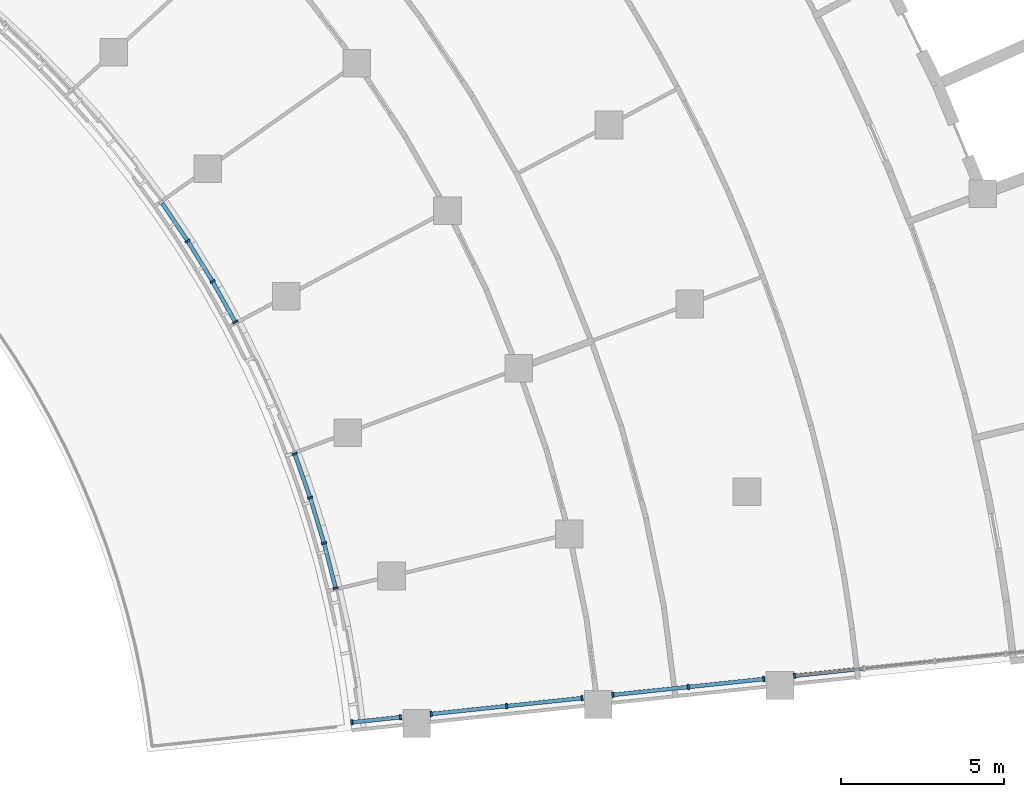
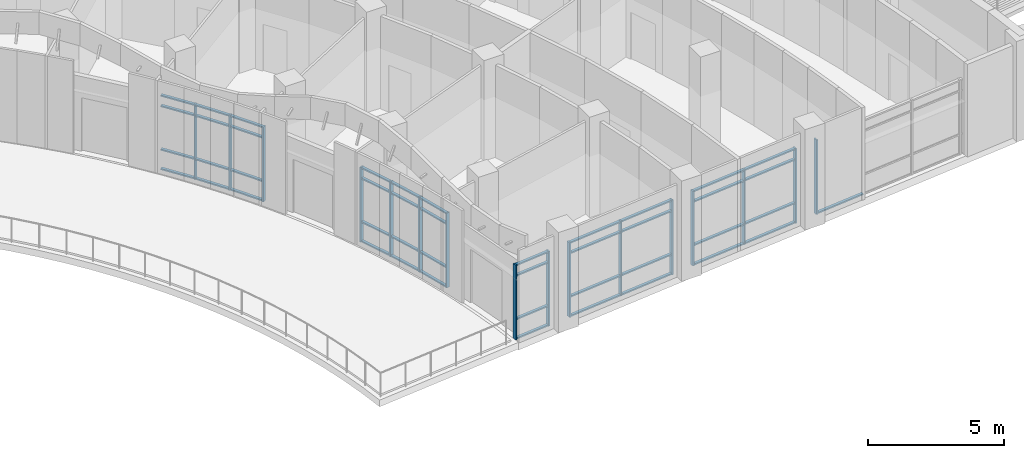
# One storey, part 28 of 136: 61 members, 6 elements without a shape of their own.
"""IFC4 building model written with IfcOpenShell, lengths in metres."""

from ifc_helpers import new_model, si_unit, direction, frame, origin, origin_2d, place, context, subcontext, project, spatial, rectangle, extrude, material, material_profile, profile_set, type_object, element, aggregate, save


model = new_model("IFC4")

# Units and contexts
model_context = context("Model", 3, precision=1e-05, world=origin(), true_north=direction((0.0, 1.0)))
body_context = subcontext(model_context, "Body", "Model", "MODEL_VIEW")
ifc_project = project(units=[si_unit("LENGTHUNIT", "METRE"), si_unit("AREAUNIT", "SQUARE_METRE"), si_unit("VOLUMEUNIT", "CUBIC_METRE"), si_unit("PLANEANGLEUNIT", "RADIAN"), si_unit("MASSUNIT", "GRAM", prefix="KILO")], contexts=[model_context])

# Site, building, storey
site_placement = place(None, origin())
site = spatial("IfcSite", under=ifc_project, at=site_placement, CompositionType="ELEMENT")
building_placement = place(site_placement, origin())
building = spatial("IfcBuilding", under=site, at=building_placement, Name="Bougainvillea Quay General Hospital", CompositionType="ELEMENT")
storey_placement = place(building_placement, frame((0.0, 0.0, 5.39990234375)))
storey = spatial("IfcBuildingStorey", under=building, at=storey_placement, Name="L01", CompositionType="ELEMENT", Elevation=5.39990234375)

# Curtain wall, members
ifc_material_1 = material(Name="Aluminium curtain wall system, powder-coated glazed", Category="aluminium")
curtain_wall_type_1 = type_object("IfcCurtainWallType", Name="Unitised curtain wall CW-2100", PredefinedType="NOTDEFINED", material=ifc_material_1)
curtain_wall_1_placement = place(storey_placement, origin())
curtain_wall_1 = element("IfcCurtainWall", 1, at=curtain_wall_1_placement, inside=storey, type_object=curtain_wall_type_1, Name="CW-E05 a21b4", PredefinedType="NOTDEFINED")
ifc_material_2 = material(Name="Aluminium mullion, powder-coated charcoal", Category="aluminium")
ifc_material_profile_1 = material_profile(ifc_material_2, rectangle(XDim=0.159912109375, YDim=0.06005859375, at=origin_2d()))
ifc_profile_set_1 = profile_set([ifc_material_profile_1], Name="Aluminium mullion, powder-coated charcoal")
member_type_1 = type_object("IfcMemberType", Name="Curtain wall mullion 160x60", PredefinedType="MULLION", material=ifc_profile_set_1)
member_1_placement = place(storey_placement, frame((137.984619140625, 40.560791015625, 0.0), z_axis=(0.0, 0.0, 1.0), x_axis=(0.840427908607, 0.541923362141, 0.0)))
member_1 = element("IfcMember", 2, at=member_1_placement, type_object=member_type_1, Name="CW-E05 mullion 2", PredefinedType="MULLION", context=body_context, shape_type="SweptSolid", body=[
    extrude(rectangle(XDim=0.159912109375, YDim=0.06005859375, at=origin_2d()), origin(), (0.0, 0.0, 1.0), 3.35009765625),
])
member_2_placement = place(storey_placement, frame((138.747802734375, 39.31982421875, 0.0), z_axis=(0.0, 0.0, 1.0), x_axis=(0.862713792698, 0.50569250725, 0.0)))
member_2 = element("IfcMember", 3, at=member_2_placement, type_object=member_type_1, Name="CW-E05 mullion 3", PredefinedType="MULLION", context=body_context, shape_type="SweptSolid", body=[
    extrude(rectangle(XDim=0.159912109375, YDim=0.06005859375, at=origin_2d()), origin(), (0.0, 0.0, 1.0), 3.35009765625),
])
member_3_placement = place(storey_placement, frame((139.443115234375, 38.073974609375, 0.0), z_axis=(0.0, 0.0, 1.0), x_axis=(0.873273793396, 0.487229803858, 0.0)))
member_3 = element("IfcMember", 4, at=member_3_placement, type_object=member_type_1, Name="CW-E05 mullion 4", PredefinedType="MULLION", context=body_context, shape_type="SweptSolid", body=[
    extrude(rectangle(XDim=0.159912109375, YDim=0.06005859375, at=origin_2d()), origin(), (0.0, 0.0, 1.0), 3.35009765625),
])

curtain_wall_2_placement = place(storey_placement, origin())
curtain_wall_2 = element("IfcCurtainWall", 5, at=curtain_wall_2_placement, inside=storey, type_object=curtain_wall_type_1, Name="CW-E07 a21b6", PredefinedType="NOTDEFINED")
member_4_placement = place(storey_placement, frame((141.26416015625, 34.037841796875, 0.0), z_axis=(0.0, 0.0, 1.0), x_axis=(0.943168537252, 0.332314775986, 0.0)))
member_4 = element("IfcMember", 6, at=member_4_placement, type_object=member_type_1, Name="CW-E07 mullion 1", PredefinedType="MULLION", context=body_context, shape_type="SweptSolid", body=[
    extrude(rectangle(XDim=0.159912109375, YDim=0.06005859375, at=origin_2d()), origin(), (0.0, 0.0, 1.0), 3.35009765625),
])
member_5_placement = place(storey_placement, frame((141.73828125, 32.692138671875, 0.0), z_axis=(0.0, 0.0, 1.0), x_axis=(0.950022917464, 0.3121801664, 0.0)))
member_5 = element("IfcMember", 7, at=member_5_placement, type_object=member_type_1, Name="CW-E07 mullion 2", PredefinedType="MULLION", context=body_context, shape_type="SweptSolid", body=[
    extrude(rectangle(XDim=0.159912109375, YDim=0.06005859375, at=origin_2d()), origin(), (0.0, 0.0, 1.0), 3.35009765625),
])
member_6_placement = place(storey_placement, frame((142.16357421875, 31.298828125, 0.0), z_axis=(0.0, 0.0, 1.0), x_axis=(0.962439443061, 0.271496442776, 0.0)))
member_6 = element("IfcMember", 8, at=member_6_placement, type_object=member_type_1, Name="CW-E07 mullion 3", PredefinedType="MULLION", context=body_context, shape_type="SweptSolid", body=[
    extrude(rectangle(XDim=0.159912109375, YDim=0.06005859375, at=origin_2d()), origin(), (0.0, 0.0, 1.0), 3.35009765625),
])
member_7_placement = place(storey_placement, frame((142.521484375, 29.91748046875, 0.0), z_axis=(0.0, 0.0, 1.0), x_axis=(0.967995971386, 0.250965733479, 0.0)))
member_7 = element("IfcMember", 9, at=member_7_placement, type_object=member_type_1, Name="CW-E07 mullion 4", PredefinedType="MULLION", context=body_context, shape_type="SweptSolid", body=[
    extrude(rectangle(XDim=0.159912109375, YDim=0.06005859375, at=origin_2d()), origin(), (0.0, 0.0, 1.0), 3.35009765625),
])

curtain_wall_type_2 = type_object("IfcCurtainWallType", Name="Unitised curtain wall CW-1556", PredefinedType="NOTDEFINED", material=ifc_material_1)
curtain_wall_3_placement = place(storey_placement, origin())
curtain_wall_3 = element("IfcCurtainWall", 10, at=curtain_wall_3_placement, inside=storey, type_object=curtain_wall_type_2, Name="CW-AE 00", PredefinedType="NOTDEFINED")
member_8_placement = place(storey_placement, frame((143.017822265625, 25.8056640625, 0.0), z_axis=(0.0, 0.0, 1.0), x_axis=(-0.104527173765, 0.9945220309, 0.0)))
member_8 = element("IfcMember", 11, at=member_8_placement, type_object=member_type_1, Name="CW-AE mullion 1", PredefinedType="MULLION", context=body_context, shape_type="SweptSolid", body=[
    extrude(rectangle(XDim=0.159912109375, YDim=0.06005859375, at=origin_2d()), origin(), (0.0, 0.0, 1.0), 3.35009765625),
])
member_9_placement = place(storey_placement, frame((144.5048828125, 25.962158203125, 0.0), z_axis=(0.0, 0.0, 1.0), x_axis=(-0.104527173765, 0.9945220309, 0.0)))
member_9 = element("IfcMember", 12, at=member_9_placement, type_object=member_type_1, Name="CW-AE mullion 2", PredefinedType="MULLION", context=body_context, shape_type="SweptSolid", body=[
    extrude(rectangle(XDim=0.159912109375, YDim=0.06005859375, at=origin_2d()), origin(), (0.0, 0.0, 1.0), 3.35009765625),
])

curtain_wall_type_3 = type_object("IfcCurtainWallType", Name="Unitised curtain wall CW-2355", PredefinedType="NOTDEFINED", material=ifc_material_1)
curtain_wall_4_placement = place(storey_placement, origin())
curtain_wall_4 = element("IfcCurtainWall", 13, at=curtain_wall_4_placement, inside=storey, type_object=curtain_wall_type_3, Name="CW-AE 01", PredefinedType="NOTDEFINED")
member_10_placement = place(storey_placement, frame((145.449462890625, 26.061279296875, 0.0), z_axis=(0.0, 0.0, 1.0), x_axis=(-0.104527173765, 0.9945220309, 0.0)))
member_10 = element("IfcMember", 14, at=member_10_placement, type_object=member_type_1, Name="CW-AE mullion 1", PredefinedType="MULLION", context=body_context, shape_type="SweptSolid", body=[
    extrude(rectangle(XDim=0.159912109375, YDim=0.06005859375, at=origin_2d()), origin(), (0.0, 0.0, 1.0), 3.35009765625),
])
member_11_placement = place(storey_placement, frame((147.76171875, 26.304443359375, 0.0), z_axis=(0.0, 0.0, 1.0), x_axis=(-0.104527173765, 0.9945220309, 0.0)))
member_11 = element("IfcMember", 15, at=member_11_placement, type_object=member_type_1, Name="CW-AE mullion 2", PredefinedType="MULLION", context=body_context, shape_type="SweptSolid", body=[
    extrude(rectangle(XDim=0.159912109375, YDim=0.06005859375, at=origin_2d()), origin(), (0.0, 0.0, 1.0), 3.35009765625),
])
member_12_placement = place(storey_placement, frame((150.07373046875, 26.54736328125, 0.0), z_axis=(0.0, 0.0, 1.0), x_axis=(-0.104527173765, 0.9945220309, 0.0)))
member_12 = element("IfcMember", 16, at=member_12_placement, type_object=member_type_1, Name="CW-AE mullion 3", PredefinedType="MULLION", context=body_context, shape_type="SweptSolid", body=[
    extrude(rectangle(XDim=0.159912109375, YDim=0.06005859375, at=origin_2d()), origin(), (0.0, 0.0, 1.0), 3.35009765625),
])

curtain_wall_5_placement = place(storey_placement, origin())
curtain_wall_5 = element("IfcCurtainWall", 17, at=curtain_wall_5_placement, inside=storey, type_object=curtain_wall_type_3, Name="CW-AE 02", PredefinedType="NOTDEFINED")
member_13_placement = place(storey_placement, frame((151.0185546875, 26.646728515625, 0.0), z_axis=(0.0, 0.0, 1.0), x_axis=(-0.104527173765, 0.9945220309, 0.0)))
member_13 = element("IfcMember", 18, at=member_13_placement, type_object=member_type_1, Name="CW-AE mullion 1", PredefinedType="MULLION", context=body_context, shape_type="SweptSolid", body=[
    extrude(rectangle(XDim=0.159912109375, YDim=0.06005859375, at=origin_2d()), origin(), (0.0, 0.0, 1.0), 3.35009765625),
])
member_14_placement = place(storey_placement, frame((153.33056640625, 26.8896484375, 0.0), z_axis=(0.0, 0.0, 1.0), x_axis=(-0.104527173765, 0.9945220309, 0.0)))
member_14 = element("IfcMember", 19, at=member_14_placement, type_object=member_type_1, Name="CW-AE mullion 2", PredefinedType="MULLION", context=body_context, shape_type="SweptSolid", body=[
    extrude(rectangle(XDim=0.159912109375, YDim=0.06005859375, at=origin_2d()), origin(), (0.0, 0.0, 1.0), 3.35009765625),
])
member_15_placement = place(storey_placement, frame((155.642822265625, 27.1328125, 0.0), z_axis=(0.0, 0.0, 1.0), x_axis=(-0.104527173765, 0.9945220309, 0.0)))
member_15 = element("IfcMember", 20, at=member_15_placement, type_object=member_type_1, Name="CW-AE mullion 3", PredefinedType="MULLION", context=body_context, shape_type="SweptSolid", body=[
    extrude(rectangle(XDim=0.159912109375, YDim=0.06005859375, at=origin_2d()), origin(), (0.0, 0.0, 1.0), 3.35009765625),
])

# Curtain wall, member
curtain_wall_type_4 = type_object("IfcCurtainWallType", Name="Unitised curtain wall CW-2178", PredefinedType="NOTDEFINED", material=ifc_material_1)
curtain_wall_6_placement = place(storey_placement, origin())
curtain_wall_6 = element("IfcCurtainWall", 21, at=curtain_wall_6_placement, inside=storey, type_object=curtain_wall_type_4, Name="CW-AE 03", PredefinedType="NOTDEFINED")
member_16_placement = place(storey_placement, frame((156.587646484375, 27.23193359375, 0.0), z_axis=(0.0, 0.0, 1.0), x_axis=(-0.104527173765, 0.9945220309, 0.0)))
member_16 = element("IfcMember", 22, at=member_16_placement, type_object=member_type_1, Name="CW-AE mullion 1", PredefinedType="MULLION", context=body_context, shape_type="SweptSolid", body=[
    extrude(rectangle(XDim=0.159912109375, YDim=0.06005859375, at=origin_2d()), origin(), (0.0, 0.0, 1.0), 3.35009765625),
])

# Member
ifc_material_3 = material(Name="Aluminium transom, powder-coated charcoal", Category="aluminium")
ifc_material_profile_2 = material_profile(ifc_material_3, rectangle(XDim=0.1201171875, YDim=0.06005859375, at=origin_2d()))
ifc_profile_set_2 = profile_set([ifc_material_profile_2], Name="Aluminium transom, powder-coated charcoal")
member_type_2 = type_object("IfcMemberType", Name="Curtain wall transom 120x60", PredefinedType="USERDEFINED", material=ifc_profile_set_2)
member_17_placement = place(storey_placement, frame((137.202880859375, 41.718505859375, 0.030029296875), z_axis=(0.559595554462, -0.828765838718, 0.0), x_axis=(0.828765838718, 0.559595554462, 0.0)))
member_17 = element("IfcMember", 23, at=member_17_placement, type_object=member_type_2, Name="CW-E05 transom 1.1", ObjectType="TRANSOM", PredefinedType="USERDEFINED", context=body_context, shape_type="SweptSolid", body=[
    extrude(rectangle(XDim=0.1201171875, YDim=0.06005859375, at=origin_2d()), origin(), (0.0, 0.0, 1.0), 1.366943359375),
])

member_18_placement = place(storey_placement, frame((137.202880859375, 41.718505859375, 0.900146484375), z_axis=(0.559595554462, -0.828765838718, 0.0), x_axis=(0.828765838718, 0.559595554462, 0.0)))
member_18 = element("IfcMember", 24, at=member_18_placement, type_object=member_type_2, Name="CW-E05 transom 1.2", ObjectType="TRANSOM", PredefinedType="USERDEFINED", context=body_context, shape_type="SweptSolid", body=[
    extrude(rectangle(XDim=0.1201171875, YDim=0.06005859375, at=origin_2d()), origin(), (0.0, 0.0, 1.0), 1.366943359375),
])

member_19_placement = place(storey_placement, frame((137.202880859375, 41.718505859375, 2.85009765625), z_axis=(0.559595554462, -0.828765838718, 0.0), x_axis=(0.828765838718, 0.559595554462, 0.0)))
member_19 = element("IfcMember", 25, at=member_19_placement, type_object=member_type_2, Name="CW-E05 transom 1.3", ObjectType="TRANSOM", PredefinedType="USERDEFINED", context=body_context, shape_type="SweptSolid", body=[
    extrude(rectangle(XDim=0.1201171875, YDim=0.06005859375, at=origin_2d()), origin(), (0.0, 0.0, 1.0), 1.366943359375),
])

member_20_placement = place(storey_placement, frame((137.202880859375, 41.718505859375, 3.320068359375), z_axis=(0.559595554462, -0.828765838718, 0.0), x_axis=(0.828765838718, 0.559595554462, 0.0)))
member_20 = element("IfcMember", 26, at=member_20_placement, type_object=member_type_2, Name="CW-E05 transom 1.4", ObjectType="TRANSOM", PredefinedType="USERDEFINED", context=body_context, shape_type="SweptSolid", body=[
    extrude(rectangle(XDim=0.1201171875, YDim=0.06005859375, at=origin_2d()), origin(), (0.0, 0.0, 1.0), 1.366943359375),
])

member_21_placement = place(storey_placement, frame((138.000244140625, 40.535400390625, 0.030029296875), z_axis=(0.523921907365, -0.851766303034, 0.0), x_axis=(0.851766303034, 0.523921907365, 0.0)))
member_21 = element("IfcMember", 27, at=member_21_placement, type_object=member_type_2, Name="CW-E05 transom 2.1", ObjectType="TRANSOM", PredefinedType="USERDEFINED", context=body_context, shape_type="SweptSolid", body=[
    extrude(rectangle(XDim=0.1201171875, YDim=0.06005859375, at=origin_2d()), origin(), (0.0, 0.0, 1.0), 1.39697265625),
])

member_22_placement = place(storey_placement, frame((138.000244140625, 40.535400390625, 0.900146484375), z_axis=(0.523921907365, -0.851766303034, 0.0), x_axis=(0.851766303034, 0.523921907365, 0.0)))
member_22 = element("IfcMember", 28, at=member_22_placement, type_object=member_type_2, Name="CW-E05 transom 2.2", ObjectType="TRANSOM", PredefinedType="USERDEFINED", context=body_context, shape_type="SweptSolid", body=[
    extrude(rectangle(XDim=0.1201171875, YDim=0.06005859375, at=origin_2d()), origin(), (0.0, 0.0, 1.0), 1.39697265625),
])

member_23_placement = place(storey_placement, frame((138.000244140625, 40.535400390625, 2.85009765625), z_axis=(0.523921907365, -0.851766303034, 0.0), x_axis=(0.851766303034, 0.523921907365, 0.0)))
member_23 = element("IfcMember", 29, at=member_23_placement, type_object=member_type_2, Name="CW-E05 transom 2.3", ObjectType="TRANSOM", PredefinedType="USERDEFINED", context=body_context, shape_type="SweptSolid", body=[
    extrude(rectangle(XDim=0.1201171875, YDim=0.06005859375, at=origin_2d()), origin(), (0.0, 0.0, 1.0), 1.39697265625),
])

member_24_placement = place(storey_placement, frame((138.000244140625, 40.535400390625, 3.320068359375), z_axis=(0.523921907365, -0.851766303034, 0.0), x_axis=(0.851766303034, 0.523921907365, 0.0)))
member_24 = element("IfcMember", 30, at=member_24_placement, type_object=member_type_2, Name="CW-E05 transom 2.4", ObjectType="TRANSOM", PredefinedType="USERDEFINED", context=body_context, shape_type="SweptSolid", body=[
    extrude(rectangle(XDim=0.1201171875, YDim=0.06005859375, at=origin_2d()), origin(), (0.0, 0.0, 1.0), 1.39697265625),
])

member_25_placement = place(storey_placement, frame((138.762451171875, 39.293701171875, 0.030029296875), z_axis=(0.487264805137, -0.873254264046, 0.0), x_axis=(0.873254264046, 0.487264805137, 0.0)))
member_25 = element("IfcMember", 31, at=member_25_placement, type_object=member_type_2, Name="CW-E05 transom 3.1", ObjectType="TRANSOM", PredefinedType="USERDEFINED", context=body_context, shape_type="SweptSolid", body=[
    extrude(rectangle(XDim=0.1201171875, YDim=0.06005859375, at=origin_2d()), origin(), (0.0, 0.0, 1.0), 1.366943359375),
])

member_26_placement = place(storey_placement, frame((138.762451171875, 39.293701171875, 0.900146484375), z_axis=(0.487264805137, -0.873254264046, 0.0), x_axis=(0.873254264046, 0.487264805137, 0.0)))
member_26 = element("IfcMember", 32, at=member_26_placement, type_object=member_type_2, Name="CW-E05 transom 3.2", ObjectType="TRANSOM", PredefinedType="USERDEFINED", context=body_context, shape_type="SweptSolid", body=[
    extrude(rectangle(XDim=0.1201171875, YDim=0.06005859375, at=origin_2d()), origin(), (0.0, 0.0, 1.0), 1.366943359375),
])

member_27_placement = place(storey_placement, frame((138.762451171875, 39.293701171875, 2.85009765625), z_axis=(0.487264805137, -0.873254264046, 0.0), x_axis=(0.873254264046, 0.487264805137, 0.0)))
member_27 = element("IfcMember", 33, at=member_27_placement, type_object=member_type_2, Name="CW-E05 transom 3.3", ObjectType="TRANSOM", PredefinedType="USERDEFINED", context=body_context, shape_type="SweptSolid", body=[
    extrude(rectangle(XDim=0.1201171875, YDim=0.06005859375, at=origin_2d()), origin(), (0.0, 0.0, 1.0), 1.366943359375),
])

member_28_placement = place(storey_placement, frame((138.762451171875, 39.293701171875, 3.320068359375), z_axis=(0.487264805137, -0.873254264046, 0.0), x_axis=(0.873254264046, 0.487264805137, 0.0)))
member_28 = element("IfcMember", 34, at=member_28_placement, type_object=member_type_2, Name="CW-E05 transom 3.4", ObjectType="TRANSOM", PredefinedType="USERDEFINED", context=body_context, shape_type="SweptSolid", body=[
    extrude(rectangle(XDim=0.1201171875, YDim=0.06005859375, at=origin_2d()), origin(), (0.0, 0.0, 1.0), 1.366943359375),
])

aggregate(curtain_wall_1, [member_1, member_2, member_3, member_17, member_18, member_19, member_20, member_21, member_22, member_23, member_24, member_25, member_26, member_27, member_28])

member_29_placement = place(storey_placement, frame((141.27392578125, 34.009521484375, 0.030029296875), z_axis=(0.332418322069, -0.943132047569, 0.0), x_axis=(0.943132047569, 0.332418322069, 0.0)))
member_29 = element("IfcMember", 35, at=member_29_placement, type_object=member_type_2, Name="CW-E07 transom 1.1", ObjectType="TRANSOM", PredefinedType="USERDEFINED", context=body_context, shape_type="SweptSolid", body=[
    extrude(rectangle(XDim=0.1201171875, YDim=0.06005859375, at=origin_2d()), origin(), (0.0, 0.0, 1.0), 1.36669921875),
])

member_30_placement = place(storey_placement, frame((141.27392578125, 34.009521484375, 0.900146484375), z_axis=(0.332418322069, -0.943132047569, 0.0), x_axis=(0.943132047569, 0.332418322069, 0.0)))
member_30 = element("IfcMember", 36, at=member_30_placement, type_object=member_type_2, Name="CW-E07 transom 1.2", ObjectType="TRANSOM", PredefinedType="USERDEFINED", context=body_context, shape_type="SweptSolid", body=[
    extrude(rectangle(XDim=0.1201171875, YDim=0.06005859375, at=origin_2d()), origin(), (0.0, 0.0, 1.0), 1.36669921875),
])

member_31_placement = place(storey_placement, frame((141.27392578125, 34.009521484375, 2.85009765625), z_axis=(0.332418322069, -0.943132047569, 0.0), x_axis=(0.943132047569, 0.332418322069, 0.0)))
member_31 = element("IfcMember", 37, at=member_31_placement, type_object=member_type_2, Name="CW-E07 transom 1.3", ObjectType="TRANSOM", PredefinedType="USERDEFINED", context=body_context, shape_type="SweptSolid", body=[
    extrude(rectangle(XDim=0.1201171875, YDim=0.06005859375, at=origin_2d()), origin(), (0.0, 0.0, 1.0), 1.36669921875),
])

member_32_placement = place(storey_placement, frame((141.27392578125, 34.009521484375, 3.320068359375), z_axis=(0.332418322069, -0.943132047569, 0.0), x_axis=(0.943132047569, 0.332418322069, 0.0)))
member_32 = element("IfcMember", 38, at=member_32_placement, type_object=member_type_2, Name="CW-E07 transom 1.4", ObjectType="TRANSOM", PredefinedType="USERDEFINED", context=body_context, shape_type="SweptSolid", body=[
    extrude(rectangle(XDim=0.1201171875, YDim=0.06005859375, at=origin_2d()), origin(), (0.0, 0.0, 1.0), 1.36669921875),
])

member_33_placement = place(storey_placement, frame((141.7470703125, 32.66357421875, 0.030029296875), z_axis=(0.291849999923, -0.956464101545, 0.0), x_axis=(0.956464101545, 0.291849999923, 0.0)))
member_33 = element("IfcMember", 39, at=member_33_placement, type_object=member_type_2, Name="CW-E07 transom 2.1", ObjectType="TRANSOM", PredefinedType="USERDEFINED", context=body_context, shape_type="SweptSolid", body=[
    extrude(rectangle(XDim=0.1201171875, YDim=0.06005859375, at=origin_2d()), origin(), (0.0, 0.0, 1.0), 1.39697265625),
])

member_34_placement = place(storey_placement, frame((141.7470703125, 32.66357421875, 0.900146484375), z_axis=(0.291849999923, -0.956464101545, 0.0), x_axis=(0.956464101545, 0.291849999923, 0.0)))
member_34 = element("IfcMember", 40, at=member_34_placement, type_object=member_type_2, Name="CW-E07 transom 2.2", ObjectType="TRANSOM", PredefinedType="USERDEFINED", context=body_context, shape_type="SweptSolid", body=[
    extrude(rectangle(XDim=0.1201171875, YDim=0.06005859375, at=origin_2d()), origin(), (0.0, 0.0, 1.0), 1.39697265625),
])

member_35_placement = place(storey_placement, frame((141.7470703125, 32.66357421875, 2.85009765625), z_axis=(0.291849999923, -0.956464101545, 0.0), x_axis=(0.956464101545, 0.291849999923, 0.0)))
member_35 = element("IfcMember", 41, at=member_35_placement, type_object=member_type_2, Name="CW-E07 transom 2.3", ObjectType="TRANSOM", PredefinedType="USERDEFINED", context=body_context, shape_type="SweptSolid", body=[
    extrude(rectangle(XDim=0.1201171875, YDim=0.06005859375, at=origin_2d()), origin(), (0.0, 0.0, 1.0), 1.39697265625),
])

member_36_placement = place(storey_placement, frame((141.7470703125, 32.66357421875, 3.320068359375), z_axis=(0.291849999923, -0.956464101545, 0.0), x_axis=(0.956464101545, 0.291849999923, 0.0)))
member_36 = element("IfcMember", 42, at=member_36_placement, type_object=member_type_2, Name="CW-E07 transom 2.4", ObjectType="TRANSOM", PredefinedType="USERDEFINED", context=body_context, shape_type="SweptSolid", body=[
    extrude(rectangle(XDim=0.1201171875, YDim=0.06005859375, at=origin_2d()), origin(), (0.0, 0.0, 1.0), 1.39697265625),
])

member_37_placement = place(storey_placement, frame((142.1708984375, 31.269775390625, 0.030029296875), z_axis=(0.251098509597, -0.967961537706, 0.0), x_axis=(0.967961537706, 0.251098509597, 0.0)))
member_37 = element("IfcMember", 43, at=member_37_placement, type_object=member_type_2, Name="CW-E07 transom 3.1", ObjectType="TRANSOM", PredefinedType="USERDEFINED", context=body_context, shape_type="SweptSolid", body=[
    extrude(rectangle(XDim=0.1201171875, YDim=0.06005859375, at=origin_2d()), origin(), (0.0, 0.0, 1.0), 1.366943359375),
])

member_38_placement = place(storey_placement, frame((142.1708984375, 31.269775390625, 0.900146484375), z_axis=(0.251098509597, -0.967961537706, 0.0), x_axis=(0.967961537706, 0.251098509597, 0.0)))
member_38 = element("IfcMember", 44, at=member_38_placement, type_object=member_type_2, Name="CW-E07 transom 3.2", ObjectType="TRANSOM", PredefinedType="USERDEFINED", context=body_context, shape_type="SweptSolid", body=[
    extrude(rectangle(XDim=0.1201171875, YDim=0.06005859375, at=origin_2d()), origin(), (0.0, 0.0, 1.0), 1.366943359375),
])

member_39_placement = place(storey_placement, frame((142.1708984375, 31.269775390625, 2.85009765625), z_axis=(0.251098509597, -0.967961537706, 0.0), x_axis=(0.967961537706, 0.251098509597, 0.0)))
member_39 = element("IfcMember", 45, at=member_39_placement, type_object=member_type_2, Name="CW-E07 transom 3.3", ObjectType="TRANSOM", PredefinedType="USERDEFINED", context=body_context, shape_type="SweptSolid", body=[
    extrude(rectangle(XDim=0.1201171875, YDim=0.06005859375, at=origin_2d()), origin(), (0.0, 0.0, 1.0), 1.366943359375),
])

member_40_placement = place(storey_placement, frame((142.1708984375, 31.269775390625, 3.320068359375), z_axis=(0.251098509597, -0.967961537706, 0.0), x_axis=(0.967961537706, 0.251098509597, 0.0)))
member_40 = element("IfcMember", 46, at=member_40_placement, type_object=member_type_2, Name="CW-E07 transom 3.4", ObjectType="TRANSOM", PredefinedType="USERDEFINED", context=body_context, shape_type="SweptSolid", body=[
    extrude(rectangle(XDim=0.1201171875, YDim=0.06005859375, at=origin_2d()), origin(), (0.0, 0.0, 1.0), 1.366943359375),
])

aggregate(curtain_wall_2, [member_4, member_5, member_6, member_7, member_29, member_30, member_31, member_32, member_33, member_34, member_35, member_36, member_37, member_38, member_39, member_40])

member_41_placement = place(storey_placement, frame((143.047607421875, 25.808837890625, 0.030029296875), z_axis=(0.994511976078, 0.104622795978, 0.0), x_axis=(-0.104622795978, 0.994511976078, 0.0)))
member_41 = element("IfcMember", 47, at=member_41_placement, type_object=member_type_2, Name="CW-AE transom 1.1", ObjectType="TRANSOM", PredefinedType="USERDEFINED", context=body_context, shape_type="SweptSolid", body=[
    extrude(rectangle(XDim=0.1201171875, YDim=0.06005859375, at=origin_2d()), origin(), (0.0, 0.0, 1.0), 1.43505859375),
])

member_42_placement = place(storey_placement, frame((143.047607421875, 25.808837890625, 0.900146484375), z_axis=(0.994511976078, 0.104622795978, 0.0), x_axis=(-0.104622795978, 0.994511976078, 0.0)))
member_42 = element("IfcMember", 48, at=member_42_placement, type_object=member_type_2, Name="CW-AE transom 1.2", ObjectType="TRANSOM", PredefinedType="USERDEFINED", context=body_context, shape_type="SweptSolid", body=[
    extrude(rectangle(XDim=0.1201171875, YDim=0.06005859375, at=origin_2d()), origin(), (0.0, 0.0, 1.0), 1.43505859375),
])

member_43_placement = place(storey_placement, frame((143.047607421875, 25.808837890625, 2.85009765625), z_axis=(0.994511976078, 0.104622795978, 0.0), x_axis=(-0.104622795978, 0.994511976078, 0.0)))
member_43 = element("IfcMember", 49, at=member_43_placement, type_object=member_type_2, Name="CW-AE transom 1.3", ObjectType="TRANSOM", PredefinedType="USERDEFINED", context=body_context, shape_type="SweptSolid", body=[
    extrude(rectangle(XDim=0.1201171875, YDim=0.06005859375, at=origin_2d()), origin(), (0.0, 0.0, 1.0), 1.43505859375),
])

member_44_placement = place(storey_placement, frame((143.047607421875, 25.808837890625, 3.320068359375), z_axis=(0.994511976078, 0.104622795978, 0.0), x_axis=(-0.104622795978, 0.994511976078, 0.0)))
member_44 = element("IfcMember", 50, at=member_44_placement, type_object=member_type_2, Name="CW-AE transom 1.4", ObjectType="TRANSOM", PredefinedType="USERDEFINED", context=body_context, shape_type="SweptSolid", body=[
    extrude(rectangle(XDim=0.1201171875, YDim=0.06005859375, at=origin_2d()), origin(), (0.0, 0.0, 1.0), 1.43505859375),
])

aggregate(curtain_wall_3, [member_8, member_9, member_41, member_42, member_43, member_44])

member_45_placement = place(storey_placement, frame((145.4794921875, 26.064453125, 0.030029296875), z_axis=(0.994518439749, 0.104561336067, 0.0), x_axis=(-0.104561336067, 0.994518439749, 0.0)))
member_45 = element("IfcMember", 51, at=member_45_placement, type_object=member_type_2, Name="CW-AE transom 1.1", ObjectType="TRANSOM", PredefinedType="USERDEFINED", context=body_context, shape_type="SweptSolid", body=[
    extrude(rectangle(XDim=0.1201171875, YDim=0.06005859375, at=origin_2d()), origin(), (0.0, 0.0, 1.0), 2.264892578125),
])

member_46_placement = place(storey_placement, frame((145.4794921875, 26.064453125, 0.900146484375), z_axis=(0.994518439749, 0.104561336067, 0.0), x_axis=(-0.104561336067, 0.994518439749, 0.0)))
member_46 = element("IfcMember", 52, at=member_46_placement, type_object=member_type_2, Name="CW-AE transom 1.2", ObjectType="TRANSOM", PredefinedType="USERDEFINED", context=body_context, shape_type="SweptSolid", body=[
    extrude(rectangle(XDim=0.1201171875, YDim=0.06005859375, at=origin_2d()), origin(), (0.0, 0.0, 1.0), 2.264892578125),
])

member_47_placement = place(storey_placement, frame((145.4794921875, 26.064453125, 2.85009765625), z_axis=(0.994518439749, 0.104561336067, 0.0), x_axis=(-0.104561336067, 0.994518439749, 0.0)))
member_47 = element("IfcMember", 53, at=member_47_placement, type_object=member_type_2, Name="CW-AE transom 1.3", ObjectType="TRANSOM", PredefinedType="USERDEFINED", context=body_context, shape_type="SweptSolid", body=[
    extrude(rectangle(XDim=0.1201171875, YDim=0.06005859375, at=origin_2d()), origin(), (0.0, 0.0, 1.0), 2.264892578125),
])

member_48_placement = place(storey_placement, frame((145.4794921875, 26.064453125, 3.320068359375), z_axis=(0.994518439749, 0.104561336067, 0.0), x_axis=(-0.104561336067, 0.994518439749, 0.0)))
member_48 = element("IfcMember", 54, at=member_48_placement, type_object=member_type_2, Name="CW-AE transom 1.4", ObjectType="TRANSOM", PredefinedType="USERDEFINED", context=body_context, shape_type="SweptSolid", body=[
    extrude(rectangle(XDim=0.1201171875, YDim=0.06005859375, at=origin_2d()), origin(), (0.0, 0.0, 1.0), 2.264892578125),
])

member_49_placement = place(storey_placement, frame((147.79150390625, 26.3076171875, 0.030029296875), z_axis=(0.994529643585, 0.104454717606, 0.0), x_axis=(-0.104454717606, 0.994529643585, 0.0)))
member_49 = element("IfcMember", 55, at=member_49_placement, type_object=member_type_2, Name="CW-AE transom 2.1", ObjectType="TRANSOM", PredefinedType="USERDEFINED", context=body_context, shape_type="SweptSolid", body=[
    extrude(rectangle(XDim=0.1201171875, YDim=0.06005859375, at=origin_2d()), origin(), (0.0, 0.0, 1.0), 2.264892578125),
])

member_50_placement = place(storey_placement, frame((147.79150390625, 26.3076171875, 0.900146484375), z_axis=(0.994529643585, 0.104454717606, 0.0), x_axis=(-0.104454717606, 0.994529643585, 0.0)))
member_50 = element("IfcMember", 56, at=member_50_placement, type_object=member_type_2, Name="CW-AE transom 2.2", ObjectType="TRANSOM", PredefinedType="USERDEFINED", context=body_context, shape_type="SweptSolid", body=[
    extrude(rectangle(XDim=0.1201171875, YDim=0.06005859375, at=origin_2d()), origin(), (0.0, 0.0, 1.0), 2.264892578125),
])

member_51_placement = place(storey_placement, frame((147.79150390625, 26.3076171875, 2.85009765625), z_axis=(0.994529643585, 0.104454717606, 0.0), x_axis=(-0.104454717606, 0.994529643585, 0.0)))
member_51 = element("IfcMember", 57, at=member_51_placement, type_object=member_type_2, Name="CW-AE transom 2.3", ObjectType="TRANSOM", PredefinedType="USERDEFINED", context=body_context, shape_type="SweptSolid", body=[
    extrude(rectangle(XDim=0.1201171875, YDim=0.06005859375, at=origin_2d()), origin(), (0.0, 0.0, 1.0), 2.264892578125),
])

member_52_placement = place(storey_placement, frame((147.79150390625, 26.3076171875, 3.320068359375), z_axis=(0.994529643585, 0.104454717606, 0.0), x_axis=(-0.104454717606, 0.994529643585, 0.0)))
member_52 = element("IfcMember", 58, at=member_52_placement, type_object=member_type_2, Name="CW-AE transom 2.4", ObjectType="TRANSOM", PredefinedType="USERDEFINED", context=body_context, shape_type="SweptSolid", body=[
    extrude(rectangle(XDim=0.1201171875, YDim=0.06005859375, at=origin_2d()), origin(), (0.0, 0.0, 1.0), 2.264892578125),
])

aggregate(curtain_wall_4, [member_10, member_11, member_12, member_45, member_46, member_47, member_48, member_49, member_50, member_51, member_52])

member_53_placement = place(storey_placement, frame((151.04833984375, 26.64990234375, 0.030029296875), z_axis=(0.994529643585, 0.104454717606, 0.0), x_axis=(-0.104454717606, 0.994529643585, 0.0)))
member_53 = element("IfcMember", 59, at=member_53_placement, type_object=member_type_2, Name="CW-AE transom 1.1", ObjectType="TRANSOM", PredefinedType="USERDEFINED", context=body_context, shape_type="SweptSolid", body=[
    extrude(rectangle(XDim=0.1201171875, YDim=0.06005859375, at=origin_2d()), origin(), (0.0, 0.0, 1.0), 2.264892578125),
])

member_54_placement = place(storey_placement, frame((151.04833984375, 26.64990234375, 0.900146484375), z_axis=(0.994529643585, 0.104454717606, 0.0), x_axis=(-0.104454717606, 0.994529643585, 0.0)))
member_54 = element("IfcMember", 60, at=member_54_placement, type_object=member_type_2, Name="CW-AE transom 1.2", ObjectType="TRANSOM", PredefinedType="USERDEFINED", context=body_context, shape_type="SweptSolid", body=[
    extrude(rectangle(XDim=0.1201171875, YDim=0.06005859375, at=origin_2d()), origin(), (0.0, 0.0, 1.0), 2.264892578125),
])

member_55_placement = place(storey_placement, frame((151.04833984375, 26.64990234375, 2.85009765625), z_axis=(0.994529643585, 0.104454717606, 0.0), x_axis=(-0.104454717606, 0.994529643585, 0.0)))
member_55 = element("IfcMember", 61, at=member_55_placement, type_object=member_type_2, Name="CW-AE transom 1.3", ObjectType="TRANSOM", PredefinedType="USERDEFINED", context=body_context, shape_type="SweptSolid", body=[
    extrude(rectangle(XDim=0.1201171875, YDim=0.06005859375, at=origin_2d()), origin(), (0.0, 0.0, 1.0), 2.264892578125),
])

member_56_placement = place(storey_placement, frame((151.04833984375, 26.64990234375, 3.320068359375), z_axis=(0.994529643585, 0.104454717606, 0.0), x_axis=(-0.104454717606, 0.994529643585, 0.0)))
member_56 = element("IfcMember", 62, at=member_56_placement, type_object=member_type_2, Name="CW-AE transom 1.4", ObjectType="TRANSOM", PredefinedType="USERDEFINED", context=body_context, shape_type="SweptSolid", body=[
    extrude(rectangle(XDim=0.1201171875, YDim=0.06005859375, at=origin_2d()), origin(), (0.0, 0.0, 1.0), 2.264892578125),
])

member_57_placement = place(storey_placement, frame((153.360595703125, 26.892822265625, 0.030029296875), z_axis=(0.994518439749, 0.104561336067, 0.0), x_axis=(-0.104561336067, 0.994518439749, 0.0)))
member_57 = element("IfcMember", 63, at=member_57_placement, type_object=member_type_2, Name="CW-AE transom 2.1", ObjectType="TRANSOM", PredefinedType="USERDEFINED", context=body_context, shape_type="SweptSolid", body=[
    extrude(rectangle(XDim=0.1201171875, YDim=0.06005859375, at=origin_2d()), origin(), (0.0, 0.0, 1.0), 2.264892578125),
])

member_58_placement = place(storey_placement, frame((153.360595703125, 26.892822265625, 0.900146484375), z_axis=(0.994518439749, 0.104561336067, 0.0), x_axis=(-0.104561336067, 0.994518439749, 0.0)))
member_58 = element("IfcMember", 64, at=member_58_placement, type_object=member_type_2, Name="CW-AE transom 2.2", ObjectType="TRANSOM", PredefinedType="USERDEFINED", context=body_context, shape_type="SweptSolid", body=[
    extrude(rectangle(XDim=0.1201171875, YDim=0.06005859375, at=origin_2d()), origin(), (0.0, 0.0, 1.0), 2.264892578125),
])

member_59_placement = place(storey_placement, frame((153.360595703125, 26.892822265625, 2.85009765625), z_axis=(0.994518439749, 0.104561336067, 0.0), x_axis=(-0.104561336067, 0.994518439749, 0.0)))
member_59 = element("IfcMember", 65, at=member_59_placement, type_object=member_type_2, Name="CW-AE transom 2.3", ObjectType="TRANSOM", PredefinedType="USERDEFINED", context=body_context, shape_type="SweptSolid", body=[
    extrude(rectangle(XDim=0.1201171875, YDim=0.06005859375, at=origin_2d()), origin(), (0.0, 0.0, 1.0), 2.264892578125),
])

member_60_placement = place(storey_placement, frame((153.360595703125, 26.892822265625, 3.320068359375), z_axis=(0.994518439749, 0.104561336067, 0.0), x_axis=(-0.104561336067, 0.994518439749, 0.0)))
member_60 = element("IfcMember", 66, at=member_60_placement, type_object=member_type_2, Name="CW-AE transom 2.4", ObjectType="TRANSOM", PredefinedType="USERDEFINED", context=body_context, shape_type="SweptSolid", body=[
    extrude(rectangle(XDim=0.1201171875, YDim=0.06005859375, at=origin_2d()), origin(), (0.0, 0.0, 1.0), 2.264892578125),
])

aggregate(curtain_wall_5, [member_13, member_14, member_15, member_53, member_54, member_55, member_56, member_57, member_58, member_59, member_60])

member_61_placement = place(storey_placement, frame((156.617431640625, 27.235107421875, 0.030029296875), z_axis=(0.994518263096, 0.104563016254, 0.0), x_axis=(-0.104563016254, 0.994518263096, 0.0)))
member_61 = element("IfcMember", 67, at=member_61_placement, type_object=member_type_2, Name="CW-AE transom 1.1", ObjectType="TRANSOM", PredefinedType="USERDEFINED", context=body_context, shape_type="SweptSolid", body=[
    extrude(rectangle(XDim=0.1201171875, YDim=0.06005859375, at=origin_2d()), origin(), (0.0, 0.0, 1.0), 2.08740234375),
])

aggregate(curtain_wall_6, [member_16, member_61])

save(model, "model.ifc")
